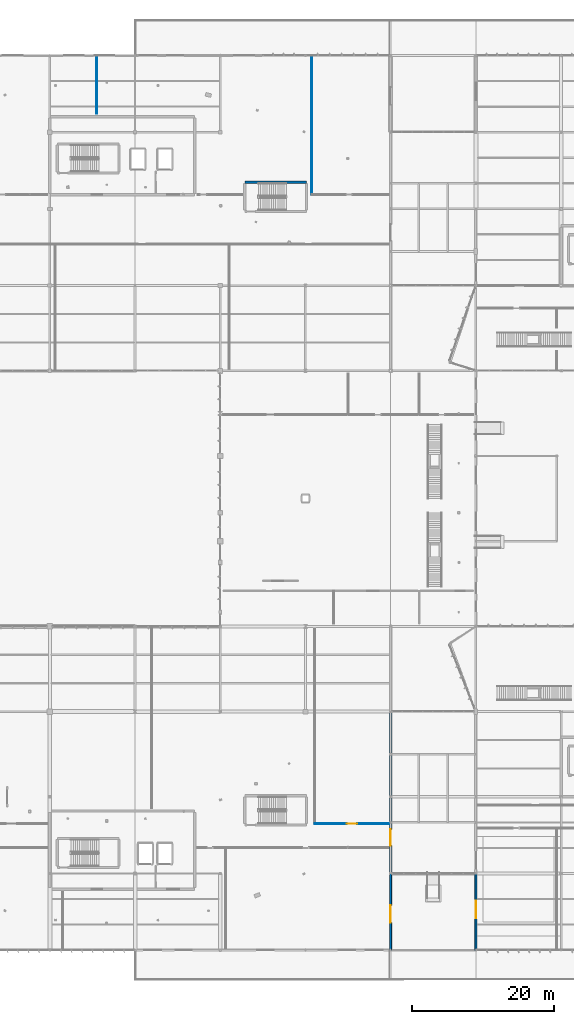
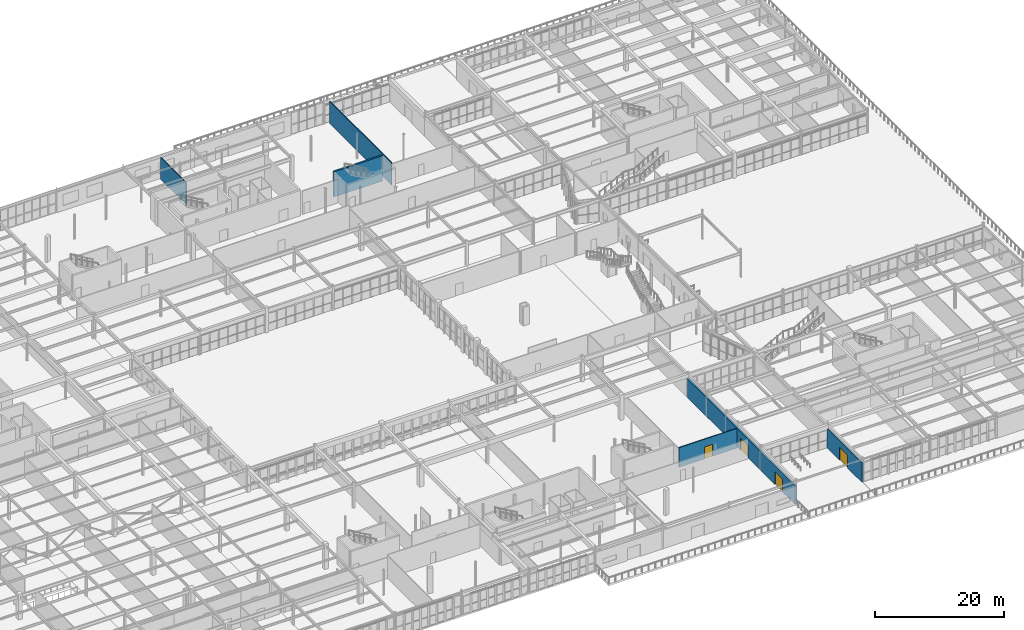
# One storey, part 166 of 199: 7 walls, 4 doors, 4 openings.
"""IFC4 building model written with IfcOpenShell, lengths in metres."""

from ifc_helpers import new_model, si_unit, direction, frame, frame_2d, origin, place, context, subcontext, project, spatial, rectangle, extrude, material, layer, layer_set, type_object, element, fill, save


model = new_model("IFC4")

# Units and contexts
model_context = context("Model", 3, precision=1e-05, world=origin(), true_north=direction((0.0, 1.0)))
body_context = subcontext(model_context, "Body", "Model", "MODEL_VIEW")
ifc_project = project(units=[si_unit("LENGTHUNIT", "METRE"), si_unit("AREAUNIT", "SQUARE_METRE"), si_unit("VOLUMEUNIT", "CUBIC_METRE"), si_unit("PLANEANGLEUNIT", "RADIAN"), si_unit("MASSUNIT", "GRAM", prefix="KILO")], contexts=[model_context])

# Site, building, storey
site_placement = place(None, origin())
site = spatial("IfcSite", under=ifc_project, at=site_placement, CompositionType="ELEMENT")
building_placement = place(site_placement, origin())
building = spatial("IfcBuilding", under=site, at=building_placement, Name="Tarnwether General Hospital", CompositionType="ELEMENT")
storey_placement = place(building_placement, origin())
storey = spatial("IfcBuildingStorey", under=building, at=storey_placement, Name="L00", CompositionType="ELEMENT", Elevation=0.0)

# Wall, opening, door
ifc_material_1 = material(Name="Precast concrete 40 MPa", Category="concrete")
ifc_layer_1 = layer(ifc_material_1, 0.280029296875)
ifc_layer_set_1 = layer_set([ifc_layer_1], Name="Precast concrete 40 MPa")
wall_type_1 = type_object("IfcWallType", Name="WL-EX280", PredefinedType="STANDARD", material=ifc_layer_set_1)
wall_1_placement = place(storey_placement, frame((132.0, 10.800048828125, 0.0), z_axis=(0.0, 0.0, 1.0), x_axis=(0.0, -1.0, 0.0)))
wall_1 = element("IfcWall", 1, at=wall_1_placement, inside=storey, type_object=wall_type_1, Name="L00 V4 East Court Wall EW-L00-0294", PredefinedType="STANDARD", context=body_context, shape_type="SweptSolid", body=[
    extrude(rectangle(XDim=10.800048828125, YDim=0.280029296875, at=frame_2d((5.39990234375, 0.0))), origin(), (0.0, 0.0, 1.0), 3.530029296875),
])
opening_1_placement = place(wall_1_placement, frame((4.5, 0.0, 0.0)))
opening_1 = element("IfcOpeningElement", 2, at=opening_1_placement, cuts=wall_1, Name="Opening ED-01", PredefinedType="OPENING", context=body_context, shape_type="SweptSolid", body=[
    extrude(rectangle(XDim=2.4599609375, YDim=2.39990234375, at=frame_2d((1.22998046875, 1.199951171875))), frame((0.0, 0.14990234375, 0.0), z_axis=(0.0, -1.0, 0.0), x_axis=(1.0, 0.0, 0.0)), (0.0, 0.0, 1.0), 0.300048828125),
])
ifc_material_2 = material(Name="Anodised aluminium", Category="aluminium")
door_type_1 = type_object("IfcDoorType", Name="DR-EX01", OperationType="NOTDEFINED", PredefinedType="DOOR", material=ifc_material_2)
door_1_placement = place(opening_1_placement, origin())
door_1 = element("IfcDoor", 3, at=door_1_placement, inside=storey, type_object=door_type_1, Name="L00 Public Passage West Portal Door ED-L00-0025", OperationType="DOUBLE_DOOR_SINGLE_SWING", OverallHeight=2.39990234375, OverallWidth=2.4599609375, PredefinedType="DOOR", context=body_context, shape_type="SweptSolid", body=[
    extrude(rectangle(XDim=2.4599609375, YDim=2.39990234375, at=frame_2d((1.22998046875, 1.199951171875))), frame((0.0, 0.02490234375, 0.0), z_axis=(0.0, -1.0, 0.0), x_axis=(1.0, 0.0, 0.0)), (0.0, 0.0, 1.0), 0.050048828125),
])
fill(opening_1, door_1)

wall_2_placement = place(storey_placement, frame((144.0, 0.0, 0.0), z_axis=(0.0, 0.0, 1.0), x_axis=(0.0, 1.0, 0.0)))
wall_2 = element("IfcWall", 4, at=wall_2_placement, inside=storey, type_object=wall_type_1, Name="L00 V6 West Court Wall EW-L00-0295", PredefinedType="STANDARD", context=body_context, shape_type="SweptSolid", body=[
    extrude(rectangle(XDim=10.800048828125, YDim=0.280029296875, at=frame_2d((5.39990234375, 0.0))), origin(), (0.0, 0.0, 1.0), 3.679931640625),
])
opening_2_placement = place(wall_2_placement, frame((4.5, 0.0, 0.0)))
opening_2 = element("IfcOpeningElement", 5, at=opening_2_placement, cuts=wall_2, Name="Opening ED-01", PredefinedType="OPENING", context=body_context, shape_type="SweptSolid", body=[
    extrude(rectangle(XDim=2.4599609375, YDim=2.39990234375, at=frame_2d((1.22998046875, 1.199951171875))), frame((0.0, 0.14990234375, 0.0), z_axis=(0.0, -1.0, 0.0), x_axis=(1.0, 0.0, 0.0)), (0.0, 0.0, 1.0), 0.300048828125),
])
door_2_placement = place(opening_2_placement, origin())
door_2 = element("IfcDoor", 6, at=door_2_placement, inside=storey, type_object=door_type_1, Name="L00 Public Passage East Portal Door ED-L00-0026", OperationType="DOUBLE_DOOR_SINGLE_SWING", OverallHeight=2.39990234375, OverallWidth=2.4599609375, PredefinedType="DOOR", context=body_context, shape_type="SweptSolid", body=[
    extrude(rectangle(XDim=2.4599609375, YDim=2.39990234375, at=frame_2d((1.22998046875, 1.199951171875))), frame((0.0, 0.02490234375, 0.0), z_axis=(0.0, -1.0, 0.0), x_axis=(1.0, 0.0, 0.0)), (0.0, 0.0, 1.0), 0.050048828125),
])
fill(opening_2, door_2)

wall_3_placement = place(storey_placement, frame((132.0, 33.60009765625, 0.0), z_axis=(0.0, 0.0, 1.0), x_axis=(0.0, -1.0, 0.0)))
wall_3 = element("IfcWall", 7, at=wall_3_placement, inside=storey, type_object=wall_type_1, Name="L00 V4 East Court Wall EW-L00-0296", PredefinedType="STANDARD", context=body_context, shape_type="SweptSolid", body=[
    extrude(rectangle(XDim=22.800048828125, YDim=0.280029296875, at=frame_2d((11.39990234375, 0.0))), origin(), (0.0, 0.0, 1.0), 3.530029296875),
])
opening_3_placement = place(wall_3_placement, frame((16.60009765625, 0.0, 0.0)))
opening_3 = element("IfcOpeningElement", 8, at=opening_3_placement, cuts=wall_3, Name="Opening ED-02", PredefinedType="OPENING", context=body_context, shape_type="SweptSolid", body=[
    extrude(rectangle(XDim=2.300048828125, YDim=2.300048828125, at=frame_2d((1.14990234375, 1.14990234375))), frame((0.0, 0.14990234375, 0.0), z_axis=(0.0, -1.0, 0.0), x_axis=(1.0, 0.0, 0.0)), (0.0, 0.0, 1.0), 0.300048828125),
])
ifc_material_3 = material(Name="Anodised aluminium", Category="aluminium")
door_type_2 = type_object("IfcDoorType", Name="DR-EX02", OperationType="NOTDEFINED", PredefinedType="DOOR", material=ifc_material_3)
door_3_placement = place(opening_3_placement, origin())
door_3 = element("IfcDoor", 9, at=door_3_placement, inside=storey, type_object=door_type_2, Name="L00 Public Passage West Portal Door ED-L00-0027", OperationType="DOUBLE_DOOR_SINGLE_SWING", OverallHeight=2.300048828125, OverallWidth=2.300048828125, PredefinedType="DOOR", context=body_context, shape_type="SweptSolid", body=[
    extrude(rectangle(XDim=2.300048828125, YDim=2.300048828125, at=frame_2d((1.14990234375, 1.14990234375))), frame((0.0, 0.02490234375, 0.0), z_axis=(0.0, -1.0, 0.0), x_axis=(1.0, 0.0, 0.0)), (0.0, 0.0, 1.0), 0.050048828125),
])
fill(opening_3, door_3)

ifc_material_4 = material(Name="Gypsum plasterboard")
ifc_layer_2 = layer(ifc_material_4, 0.139892578125)
ifc_layer_set_2 = layer_set([ifc_layer_2], Name="Gypsum plasterboard")
wall_type_2 = type_object("IfcWallType", Name="WL-PT140", PredefinedType="PARTITIONING", material=ifc_layer_set_2)
wall_4_placement = place(storey_placement, frame((121.27490234375, 17.800048828125, 0.0), z_axis=(0.0, 0.0, 1.0), x_axis=(1.0, 0.0, 0.0)))
wall_4 = element("IfcWall", 10, at=wall_4_placement, inside=storey, type_object=wall_type_2, Name="Interior Partition PT-L00-0119", PredefinedType="PARTITIONING", context=body_context, shape_type="SweptSolid", body=[
    extrude(rectangle(XDim=10.425048828125, YDim=0.139892578125, at=frame_2d((5.21240234375, 0.0))), origin(), (0.0, 0.0, 1.0), 3.738037109375),
])
opening_4_placement = place(wall_4_placement, frame((4.56201171875, 0.0, 0.0)))
opening_4 = element("IfcOpeningElement", 11, at=opening_4_placement, cuts=wall_4, Name="Opening SD-03", PredefinedType="OPENING", context=body_context, shape_type="SweptSolid", body=[
    extrude(rectangle(XDim=1.47998046875, YDim=2.260009765625, at=frame_2d((0.739990234375, 1.1298828125))), frame((0.0, 0.080078125, 0.0), z_axis=(0.0, -1.0, 0.0), x_axis=(1.0, 0.0, 0.0)), (0.0, 0.0, 1.0), 0.159912109375),
])
ifc_material_5 = material(Name="Anodised aluminium", Category="aluminium")
door_type_3 = type_object("IfcDoorType", Name="DR-OR03", OperationType="NOTDEFINED", PredefinedType="DOOR", material=ifc_material_5)
door_4_placement = place(opening_4_placement, origin())
door_4 = element("IfcDoor", 12, at=door_4_placement, inside=storey, type_object=door_type_3, Name="Interior Door DR-L00-0066", OperationType="SLIDING_TO_LEFT", OverallHeight=2.260009765625, OverallWidth=1.47998046875, PredefinedType="DOOR", context=body_context, shape_type="SweptSolid", body=[
    extrude(rectangle(XDim=1.47998046875, YDim=2.260009765625, at=frame_2d((0.739990234375, 1.1298828125))), frame((0.0, 0.02490234375, 0.0), z_axis=(0.0, -1.0, 0.0), x_axis=(1.0, 0.0, 0.0)), (0.0, 0.0, 1.0), 0.050048828125),
])
fill(opening_4, door_4)

# Walls
wall_5_placement = place(storey_placement, frame((90.591064453125, 117.800048828125, 0.0), z_axis=(0.0, 0.0, 1.0), x_axis=(0.0, 1.0, 0.0)))
element("IfcWall", 13, at=wall_5_placement, inside=storey, type_object=wall_type_2, Name="Interior Partition PT-L00-0126", PredefinedType="PARTITIONING", context=body_context, shape_type="SweptSolid", body=[
    extrude(rectangle(XDim=7.89990234375, YDim=0.139892578125, at=frame_2d((3.949951171875, 0.0))), origin(), (0.0, 0.0, 1.0), 4.1259765625),
])
wall_6_placement = place(storey_placement, frame((120.882080078125, 106.39990234375, 0.0), z_axis=(0.0, 0.0, 1.0), x_axis=(0.0, 1.0, 0.0)))
element("IfcWall", 14, at=wall_6_placement, inside=storey, type_object=wall_type_2, Name="Interior Partition PT-L00-0128", PredefinedType="PARTITIONING", context=body_context, shape_type="SweptSolid", body=[
    extrude(rectangle(XDim=19.300048828125, YDim=0.139892578125, at=frame_2d((9.64990234375, 0.0))), origin(), (0.0, 0.0, 1.0), 4.22802734375),
])
ifc_material_6 = material(Name="Concrete 50 MPa", Category="concrete")
ifc_layer_3 = layer(ifc_material_6, 0.300048828125)
ifc_layer_set_3 = layer_set([ifc_layer_3], Name="Concrete 50 MPa")
wall_type_3 = type_object("IfcWallType", Name="WL-SW300", PredefinedType="SHEAR", material=ifc_layer_set_3)
wall_7_placement = place(storey_placement, frame((120.14990234375, 108.14990234375, 0.0), z_axis=(0.0, 0.0, 1.0), x_axis=(-1.0, 0.0, 0.0)))
element("IfcWall", 15, at=wall_7_placement, inside=storey, type_object=wall_type_3, Name="Stairwell Shear Wall STW-ST-08-L00-N", PredefinedType="SHEAR", context=body_context, shape_type="SweptSolid", body=[
    extrude(rectangle(XDim=8.699951171875, YDim=0.300048828125, at=frame_2d((4.35009765625, 0.0))), origin(), (0.0, 0.0, 1.0), 4.800048828125),
])

save(model, "model.ifc")
